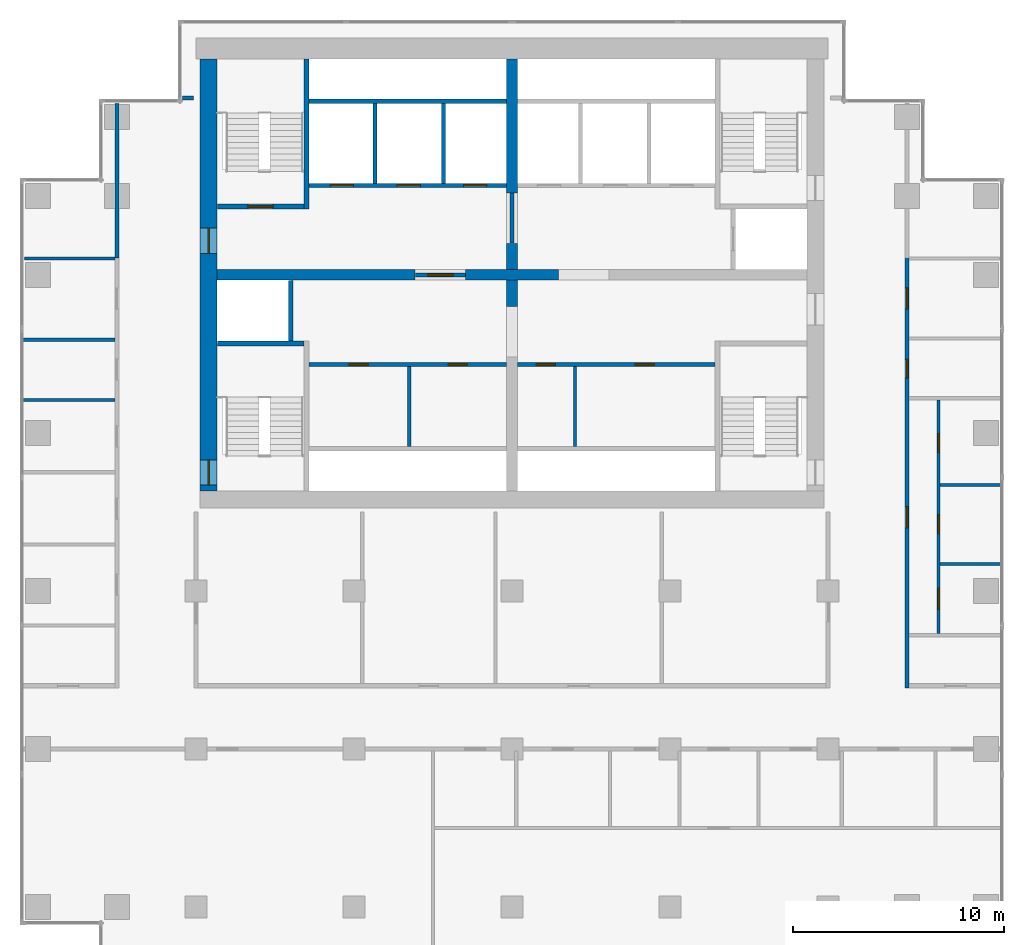
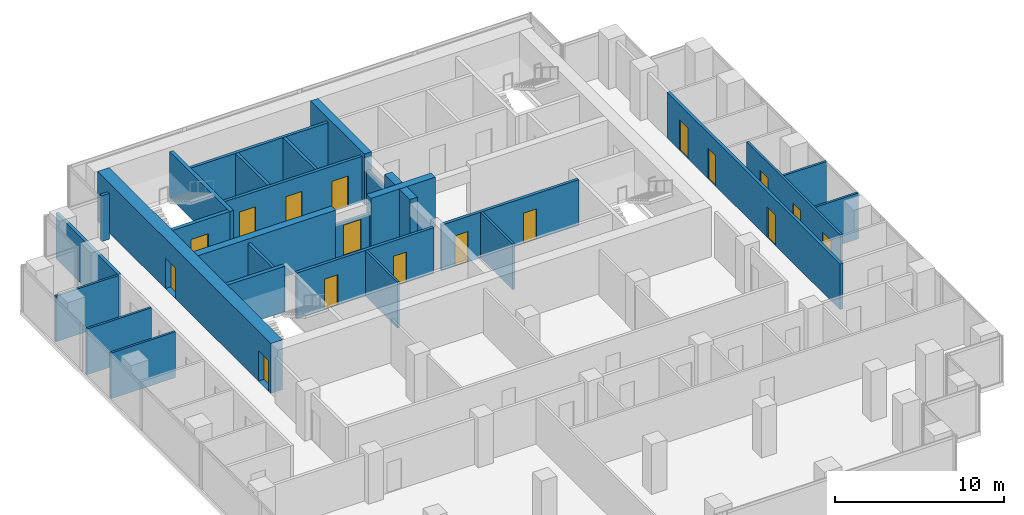
# One storey, part 8 of 10: 29 walls, 17 doors, 17 openings.
"""IFC4 building model written with IfcOpenShell, lengths in metres."""

from ifc_helpers import new_model, si_unit, direction, frame, frame_2d, origin, place, context, subcontext, project, spatial, rectangle, extrude, material, layer, layer_set, type_object, element, fill, save


model = new_model("IFC4")

# Units and contexts
model_context = context("Model", 3, precision=1e-05, world=origin(), true_north=direction((0.0, 1.0)))
body_context = subcontext(model_context, "Body", "Model", "MODEL_VIEW")
ifc_project = project(units=[si_unit("LENGTHUNIT", "METRE"), si_unit("AREAUNIT", "SQUARE_METRE"), si_unit("VOLUMEUNIT", "CUBIC_METRE"), si_unit("PLANEANGLEUNIT", "RADIAN"), si_unit("MASSUNIT", "GRAM", prefix="KILO")], contexts=[model_context])

# Site, building, storey
site_placement = place(None, origin())
site = spatial("IfcSite", under=ifc_project, at=site_placement, CompositionType="ELEMENT")
building_placement = place(site_placement, origin())
building = spatial("IfcBuilding", under=site, at=building_placement, Name="Pilkhan Gate Tower", CompositionType="ELEMENT")
storey_placement = place(building_placement, frame((0.0, 0.0, 165.699951171875)))
storey = spatial("IfcBuildingStorey", under=building, at=storey_placement, Name="L42", CompositionType="ELEMENT", Elevation=165.699951171875)

# Wall, openings, doors
ifc_material_1 = material(Name="Concrete C60/75", Category="concrete")
ifc_layer_1 = layer(ifc_material_1, 0.800048828125)
ifc_layer_set_1 = layer_set([ifc_layer_1], Name="Core wall CW800 C60/75")
wall_type_1 = type_object("IfcWallType", Name="Core wall CW800 C60/75", PredefinedType="SHEAR", material=ifc_layer_set_1)
wall_1_placement = place(storey_placement, frame((60.60009765625, 92.75, 0.0), z_axis=(0.0, 0.0, 1.0), x_axis=(0.0, -1.0, 0.0)))
wall_1 = element("IfcWall", 1, at=wall_1_placement, inside=storey, type_object=wall_type_1, Name="Core wall W L42", PredefinedType="SHEAR", context=body_context, shape_type="SweptSolid", body=[
    extrude(rectangle(XDim=20.5, YDim=0.800048828125, at=frame_2d((10.25, 0.0))), origin(), (0.0, 0.0, 1.0), 3.60009765625),
])
opening_1_placement = place(wall_1_placement, frame((19.02490234375, 0.0, 0.0)))
opening_1 = element("IfcOpeningElement", 2, at=opening_1_placement, cuts=wall_1, Name="Opening L42-04", PredefinedType="OPENING", context=body_context, shape_type="SweptSolid", body=[
    extrude(rectangle(XDim=1.199951171875, YDim=2.199951171875, at=frame_2d((0.60009765625, 1.10009765625))), frame((0.0, 0.409912109375, 0.0), z_axis=(0.0, -1.0, 0.0), x_axis=(1.0, 0.0, 0.0)), (0.0, 0.0, 1.0), 0.820068359375),
])
opening_2_placement = place(wall_1_placement, frame((8.02490234375, 0.0, 0.0)))
opening_2 = element("IfcOpeningElement", 3, at=opening_2_placement, cuts=wall_1, Name="Opening L42-13", PredefinedType="OPENING", context=body_context, shape_type="SweptSolid", body=[
    extrude(rectangle(XDim=1.199951171875, YDim=2.199951171875, at=frame_2d((0.60009765625, 1.10009765625))), frame((0.0, 0.409912109375, 0.0), z_axis=(0.0, -1.0, 0.0), x_axis=(1.0, 0.0, 0.0)), (0.0, 0.0, 1.0), 0.820068359375),
])
ifc_material_2 = material(Name="Steel door, 120 minute fire resisting, self-closing", Category="steel")
door_type_1 = type_object("IfcDoorType", Name="Firefighting lobby door D10 1200x2200", OperationType="SINGLE_SWING_LEFT", PredefinedType="DOOR", material=ifc_material_2)
door_1_placement = place(opening_2_placement, origin())
door_1 = element("IfcDoor", 4, at=door_1_placement, inside=storey, type_object=door_type_1, Name="Core door", OperationType="SINGLE_SWING_LEFT", OverallHeight=2.199951171875, OverallWidth=1.199951171875, PredefinedType="DOOR", context=body_context, shape_type="SweptSolid", body=[
    extrude(rectangle(XDim=1.199951171875, YDim=2.199951171875, at=frame_2d((0.60009765625, 1.10009765625))), frame((0.0, 0.02490234375, 0.0), z_axis=(0.0, -1.0, 0.0), x_axis=(1.0, 0.0, 0.0)), (0.0, 0.0, 1.0), 0.050048828125),
])
fill(opening_2, door_1)
ifc_material_3 = material(Name="Steel door, 120 minute fire resisting, panic bar", Category="steel")
door_type_2 = type_object("IfcDoorType", Name="Stair door D11 1200x2200", OperationType="SINGLE_SWING_LEFT", PredefinedType="DOOR", material=ifc_material_3)
door_2_placement = place(opening_1_placement, origin())
door_2 = element("IfcDoor", 5, at=door_2_placement, inside=storey, type_object=door_type_2, Name="Stair ST2 door", OperationType="SINGLE_SWING_LEFT", OverallHeight=2.199951171875, OverallWidth=1.199951171875, PredefinedType="DOOR", context=body_context, shape_type="SweptSolid", body=[
    extrude(rectangle(XDim=1.199951171875, YDim=2.199951171875, at=frame_2d((0.60009765625, 1.10009765625))), frame((0.0, 0.02490234375, 0.0), z_axis=(0.0, -1.0, 0.0), x_axis=(1.0, 0.0, 0.0)), (0.0, 0.0, 1.0), 0.050048828125),
])
fill(opening_1, door_2)

# Walls
ifc_material_4 = material(Name="Dense blockwork", Category="masonry")
ifc_layer_2 = layer(ifc_material_4, 0.199951171875)
ifc_layer_set_2 = layer_set([ifc_layer_2], Name="Corridor wall FW200")
wall_type_2 = type_object("IfcWallType", Name="Corridor wall FW200", PredefinedType="PARTITIONING", material=ifc_layer_set_2)
wall_2_placement = place(storey_placement, frame((59.35498046875, 90.89990234375, 0.0), z_axis=(0.0, 0.0, 1.0), x_axis=(1.0, 0.0, 0.0)))
element("IfcWall", 6, at=wall_2_placement, inside=storey, type_object=wall_type_2, Name="Partition L42", PredefinedType="PARTITIONING", context=body_context, shape_type="SweptSolid", body=[
    extrude(rectangle(XDim=0.52490234375, YDim=0.199951171875, at=frame_2d((0.262451171875, 0.0))), origin(), (0.0, 0.0, 1.0), 3.300048828125),
])
wall_3_placement = place(storey_placement, frame((56.25, 83.31005859375, 0.0), z_axis=(0.0, 0.0, 1.0), x_axis=(0.0, 1.0, 0.0)))
element("IfcWall", 7, at=wall_3_placement, inside=storey, type_object=wall_type_2, Name="Partition L42", PredefinedType="PARTITIONING", context=body_context, shape_type="SweptSolid", body=[
    extrude(rectangle(XDim=7.3349609375, YDim=0.199951171875, at=frame_2d((3.66748046875, 0.0))), origin(), (0.0, 0.0, 1.0), 3.300048828125),
])

# Wall, openings, doors
wall_4_placement = place(storey_placement, frame((93.75, 62.89990234375, 0.0), z_axis=(0.0, 0.0, 1.0), x_axis=(0.0, 1.0, 0.0)))
wall_4 = element("IfcWall", 8, at=wall_4_placement, inside=storey, type_object=wall_type_2, Name="Partition L42", PredefinedType="PARTITIONING", context=body_context, shape_type="SweptSolid", body=[
    extrude(rectangle(XDim=20.455078125, YDim=0.199951171875, at=frame_2d((10.2275390625, 0.0))), origin(), (0.0, 0.0, 1.0), 3.300048828125),
])
opening_3_placement = place(wall_4_placement, frame((7.60009765625, 0.0, 0.0)))
opening_3 = element("IfcOpeningElement", 9, at=opening_3_placement, cuts=wall_4, Name="Opening L42-11", PredefinedType="OPENING", context=body_context, shape_type="SweptSolid", body=[
    extrude(rectangle(XDim=1.0, YDim=2.199951171875, at=frame_2d((0.5, 1.10009765625))), frame((0.0, 0.10986328125, 0.0), z_axis=(0.0, -1.0, 0.0), x_axis=(1.0, 0.0, 0.0)), (0.0, 0.0, 1.0), 0.219970703125),
])
opening_4_placement = place(wall_4_placement, frame((14.699951171875, 0.0, 0.0)))
opening_4 = element("IfcOpeningElement", 10, at=opening_4_placement, cuts=wall_4, Name="Opening L42-32", PredefinedType="OPENING", context=body_context, shape_type="SweptSolid", body=[
    extrude(rectangle(XDim=0.89990234375, YDim=2.199951171875, at=frame_2d((0.449951171875, 1.10009765625))), frame((0.0, 0.10986328125, 0.0), z_axis=(0.0, -1.0, 0.0), x_axis=(1.0, 0.0, 0.0)), (0.0, 0.0, 1.0), 0.219970703125),
])
opening_5_placement = place(wall_4_placement, frame((17.990966796875, 0.0, 0.0)))
opening_5 = element("IfcOpeningElement", 11, at=opening_5_placement, cuts=wall_4, Name="Opening L42-33", PredefinedType="OPENING", context=body_context, shape_type="SweptSolid", body=[
    extrude(rectangle(XDim=1.0, YDim=2.199951171875, at=frame_2d((0.5, 1.10009765625))), frame((0.0, 0.10986328125, 0.0), z_axis=(0.0, -1.0, 0.0), x_axis=(1.0, 0.0, 0.0)), (0.0, 0.0, 1.0), 0.219970703125),
])
ifc_material_5 = material(Name="Timber flush door, 30 minute fire resisting", Category="wood")
door_type_3 = type_object("IfcDoorType", Name="Room door D03 1000x2200", OperationType="SINGLE_SWING_LEFT", PredefinedType="DOOR", material=ifc_material_5)
door_3_placement = place(opening_3_placement, origin())
door_3 = element("IfcDoor", 12, at=door_3_placement, inside=storey, type_object=door_type_3, Name="Toilet lobby door", OperationType="SINGLE_SWING_LEFT", OverallHeight=2.199951171875, OverallWidth=1.0, PredefinedType="DOOR", context=body_context, shape_type="SweptSolid", body=[
    extrude(rectangle(XDim=1.0, YDim=2.199951171875, at=frame_2d((0.5, 1.10009765625))), frame((0.0, 0.02490234375, 0.0), z_axis=(0.0, -1.0, 0.0), x_axis=(1.0, 0.0, 0.0)), (0.0, 0.0, 1.0), 0.050048828125),
])
fill(opening_3, door_3)
door_4_placement = place(opening_5_placement, origin())
door_4 = element("IfcDoor", 13, at=door_4_placement, inside=storey, type_object=door_type_3, Name="Room door", OperationType="SINGLE_SWING_LEFT", OverallHeight=2.199951171875, OverallWidth=1.0, PredefinedType="DOOR", context=body_context, shape_type="SweptSolid", body=[
    extrude(rectangle(XDim=1.0, YDim=2.199951171875, at=frame_2d((0.5, 1.10009765625))), frame((0.0, 0.02490234375, 0.0), z_axis=(0.0, -1.0, 0.0), x_axis=(1.0, 0.0, 0.0)), (0.0, 0.0, 1.0), 0.050048828125),
])
fill(opening_5, door_4)
ifc_material_6 = material(Name="Timber flush door, 60 minute fire resisting, self-closing", Category="wood")
door_type_4 = type_object("IfcDoorType", Name="Store door D05 900x2200", OperationType="SINGLE_SWING_LEFT", PredefinedType="DOOR", material=ifc_material_6)
door_5_placement = place(opening_4_placement, origin())
door_5 = element("IfcDoor", 14, at=door_5_placement, inside=storey, type_object=door_type_4, Name="Store door", OperationType="SINGLE_SWING_LEFT", OverallHeight=2.199951171875, OverallWidth=0.89990234375, PredefinedType="DOOR", context=body_context, shape_type="SweptSolid", body=[
    extrude(rectangle(XDim=0.89990234375, YDim=2.199951171875, at=frame_2d((0.449951171875, 1.10009765625))), frame((0.0, 0.02490234375, 0.0), z_axis=(0.0, -1.0, 0.0), x_axis=(1.0, 0.0, 0.0)), (0.0, 0.0, 1.0), 0.050048828125),
])
fill(opening_4, door_5)

ifc_layer_3 = layer(ifc_material_4, 0.199951171875)
ifc_layer_set_3 = layer_set([ifc_layer_3], Name="Lobby wall LW200")
wall_type_3 = type_object("IfcWallType", Name="Lobby wall LW200", PredefinedType="PARTITIONING", material=ifc_layer_set_3)
wall_5_placement = place(storey_placement, frame((65.375, 78.25, 0.0), z_axis=(0.0, 0.0, 1.0), x_axis=(1.0, 0.0, 0.0)))
wall_5 = element("IfcWall", 15, at=wall_5_placement, inside=storey, type_object=wall_type_3, Name="Partition L42", PredefinedType="PARTITIONING", context=body_context, shape_type="SweptSolid", body=[
    extrude(rectangle(XDim=9.364990234375, YDim=0.199951171875, at=frame_2d((4.6826171875, 0.0))), origin(), (0.0, 0.0, 1.0), 3.300048828125),
])
opening_6_placement = place(wall_5_placement, frame((1.89990234375, 0.0, 0.0)))
opening_6 = element("IfcOpeningElement", 16, at=opening_6_placement, cuts=wall_5, Name="Opening L42-14", PredefinedType="OPENING", context=body_context, shape_type="SweptSolid", body=[
    extrude(rectangle(XDim=0.89990234375, YDim=2.199951171875, at=frame_2d((0.449951171875, 1.10009765625))), frame((0.0, 0.10986328125, 0.0), z_axis=(0.0, -1.0, 0.0), x_axis=(1.0, 0.0, 0.0)), (0.0, 0.0, 1.0), 0.219970703125),
])
opening_7_placement = place(wall_5_placement, frame((6.60009765625, 0.0, 0.0)))
opening_7 = element("IfcOpeningElement", 17, at=opening_7_placement, cuts=wall_5, Name="Opening L42-15", PredefinedType="OPENING", context=body_context, shape_type="SweptSolid", body=[
    extrude(rectangle(XDim=0.89990234375, YDim=2.199951171875, at=frame_2d((0.449951171875, 1.10009765625))), frame((0.0, 0.10986328125, 0.0), z_axis=(0.0, -1.0, 0.0), x_axis=(1.0, 0.0, 0.0)), (0.0, 0.0, 1.0), 0.219970703125),
])
door_6_placement = place(opening_6_placement, origin())
door_6 = element("IfcDoor", 18, at=door_6_placement, inside=storey, type_object=door_type_4, Name="Store door", OperationType="SINGLE_SWING_LEFT", OverallHeight=2.199951171875, OverallWidth=0.89990234375, PredefinedType="DOOR", context=body_context, shape_type="SweptSolid", body=[
    extrude(rectangle(XDim=0.89990234375, YDim=2.199951171875, at=frame_2d((0.449951171875, 1.10009765625))), frame((0.0, 0.02490234375, 0.0), z_axis=(0.0, -1.0, 0.0), x_axis=(1.0, 0.0, 0.0)), (0.0, 0.0, 1.0), 0.050048828125),
])
fill(opening_6, door_6)
door_7_placement = place(opening_7_placement, origin())
door_7 = element("IfcDoor", 19, at=door_7_placement, inside=storey, type_object=door_type_4, Name="Store door", OperationType="SINGLE_SWING_LEFT", OverallHeight=2.199951171875, OverallWidth=0.89990234375, PredefinedType="DOOR", context=body_context, shape_type="SweptSolid", body=[
    extrude(rectangle(XDim=0.89990234375, YDim=2.199951171875, at=frame_2d((0.449951171875, 1.10009765625))), frame((0.0, 0.02490234375, 0.0), z_axis=(0.0, -1.0, 0.0), x_axis=(1.0, 0.0, 0.0)), (0.0, 0.0, 1.0), 0.050048828125),
])
fill(opening_7, door_7)

wall_6_placement = place(storey_placement, frame((75.260009765625, 78.25, 0.0), z_axis=(0.0, 0.0, 1.0), x_axis=(1.0, 0.0, 0.0)))
wall_6 = element("IfcWall", 20, at=wall_6_placement, inside=storey, type_object=wall_type_3, Name="Partition L42", PredefinedType="PARTITIONING", context=body_context, shape_type="SweptSolid", body=[
    extrude(rectangle(XDim=9.364990234375, YDim=0.199951171875, at=frame_2d((4.6826171875, 0.0))), origin(), (0.0, 0.0, 1.0), 3.300048828125),
])
opening_8_placement = place(wall_6_placement, frame((0.89990234375, 0.0, 0.0)))
opening_8 = element("IfcOpeningElement", 21, at=opening_8_placement, cuts=wall_6, Name="Opening L42-16", PredefinedType="OPENING", context=body_context, shape_type="SweptSolid", body=[
    extrude(rectangle(XDim=0.89990234375, YDim=2.199951171875, at=frame_2d((0.449951171875, 1.10009765625))), frame((0.0, 0.10986328125, 0.0), z_axis=(0.0, -1.0, 0.0), x_axis=(1.0, 0.0, 0.0)), (0.0, 0.0, 1.0), 0.219970703125),
])
opening_9_placement = place(wall_6_placement, frame((5.580078125, 0.0, 0.0)))
opening_9 = element("IfcOpeningElement", 22, at=opening_9_placement, cuts=wall_6, Name="Opening L42-17", PredefinedType="OPENING", context=body_context, shape_type="SweptSolid", body=[
    extrude(rectangle(XDim=0.89990234375, YDim=2.199951171875, at=frame_2d((0.449951171875, 1.10009765625))), frame((0.0, 0.10986328125, 0.0), z_axis=(0.0, -1.0, 0.0), x_axis=(1.0, 0.0, 0.0)), (0.0, 0.0, 1.0), 0.219970703125),
])
door_8_placement = place(opening_8_placement, origin())
door_8 = element("IfcDoor", 23, at=door_8_placement, inside=storey, type_object=door_type_4, Name="Store door", OperationType="SINGLE_SWING_RIGHT", OverallHeight=2.199951171875, OverallWidth=0.89990234375, PredefinedType="DOOR", context=body_context, shape_type="SweptSolid", body=[
    extrude(rectangle(XDim=0.89990234375, YDim=2.199951171875, at=frame_2d((0.449951171875, 1.10009765625))), frame((0.0, 0.02490234375, 0.0), z_axis=(0.0, -1.0, 0.0), x_axis=(1.0, 0.0, 0.0)), (0.0, 0.0, 1.0), 0.050048828125),
])
fill(opening_8, door_8)
door_9_placement = place(opening_9_placement, origin())
door_9 = element("IfcDoor", 24, at=door_9_placement, inside=storey, type_object=door_type_4, Name="Store door", OperationType="SINGLE_SWING_RIGHT", OverallHeight=2.199951171875, OverallWidth=0.89990234375, PredefinedType="DOOR", context=body_context, shape_type="SweptSolid", body=[
    extrude(rectangle(XDim=0.89990234375, YDim=2.199951171875, at=frame_2d((0.449951171875, 1.10009765625))), frame((0.0, 0.02490234375, 0.0), z_axis=(0.0, -1.0, 0.0), x_axis=(1.0, 0.0, 0.0)), (0.0, 0.0, 1.0), 0.050048828125),
])
fill(opening_9, door_9)

# Wall, opening, door
wall_7_placement = place(storey_placement, frame((70.409912109375, 82.5, 0.0), z_axis=(0.0, 0.0, 1.0), x_axis=(1.0, 0.0, 0.0)))
wall_7 = element("IfcWall", 25, at=wall_7_placement, inside=storey, type_object=wall_type_3, Name="Partition L42", PredefinedType="PARTITIONING", context=body_context, shape_type="SweptSolid", body=[
    extrude(rectangle(XDim=2.380126953125, YDim=0.199951171875, at=frame_2d((1.18994140625, 0.0))), origin(), (0.0, 0.0, 1.0), 2.400146484375),
])
opening_10_placement = place(wall_7_placement, frame((0.60009765625, 0.0, 0.0)))
opening_10 = element("IfcOpeningElement", 26, at=opening_10_placement, cuts=wall_7, Name="Opening L42-01", PredefinedType="OPENING", context=body_context, shape_type="SweptSolid", body=[
    extrude(rectangle(XDim=1.199951171875, YDim=2.199951171875, at=frame_2d((0.60009765625, 1.10009765625))), frame((0.0, 0.10986328125, 0.0), z_axis=(0.0, -1.0, 0.0), x_axis=(1.0, 0.0, 0.0)), (0.0, 0.0, 1.0), 0.219970703125),
])
door_10_placement = place(opening_10_placement, origin())
door_10 = element("IfcDoor", 27, at=door_10_placement, inside=storey, type_object=door_type_1, Name="Firefighting lobby door", OperationType="SINGLE_SWING_LEFT", OverallHeight=2.199951171875, OverallWidth=1.199951171875, PredefinedType="DOOR", context=body_context, shape_type="SweptSolid", body=[
    extrude(rectangle(XDim=1.199951171875, YDim=2.199951171875, at=frame_2d((0.60009765625, 1.10009765625))), frame((0.0, 0.02490234375, 0.0), z_axis=(0.0, -1.0, 0.0), x_axis=(1.0, 0.0, 0.0)), (0.0, 0.0, 1.0), 0.050048828125),
])
fill(opening_10, door_10)

# Walls
wall_8_placement = place(storey_placement, frame((75.0, 84.010009765625, 0.0), z_axis=(0.0, 0.0, 1.0), x_axis=(0.0, 1.0, 0.0)))
element("IfcWall", 28, at=wall_8_placement, inside=storey, type_object=wall_type_3, Name="Partition L42", PredefinedType="PARTITIONING", context=body_context, shape_type="SweptSolid", body=[
    extrude(rectangle(XDim=2.3798828125, YDim=0.199951171875, at=frame_2d((1.18994140625, 0.0))), origin(), (0.0, 0.0, 1.0), 2.400146484375),
])
ifc_material_7 = material(Name="Blockwork partition, plastered both sides", Category="masonry")
ifc_layer_4 = layer(ifc_material_7, 0.14990234375)
ifc_layer_set_4 = layer_set([ifc_layer_4], Name="Partition PW150")
wall_type_4 = type_object("IfcWallType", Name="Partition PW150", PredefinedType="PARTITIONING", material=ifc_layer_set_4)
for number, where, z_axis, x_axis, name in (
    (29, (95.324951171875, 68.77490234375, 0.0), (0.0, 0.0, 1.0), (1.0, 0.0, 0.0), "Partition L42"),
    (30, (95.324951171875, 72.52490234375, 0.0), (0.0, 0.0, 1.0), (1.0, 0.0, 0.0), "Partition L42"),
):
    element("IfcWall", number, at=place(storey_placement, frame(where, z_axis=z_axis, x_axis=x_axis)), inside=storey, type_object=wall_type_4, Name=name, PredefinedType="PARTITIONING", context=body_context, shape_type="SweptSolid", body=[
        extrude(rectangle(XDim=2.93994140625, YDim=0.14990234375, at=frame_2d((1.469970703125, 0.0))), origin(), (0.0, 0.0, 1.0), 3.300048828125),
    ])
for number, where, z_axis, x_axis, name in (
    (31, (51.735107421875, 76.568115234375, 0.0), (0.0, 0.0, 1.0), (1.0, 0.0, 0.0), "Partition L42"),
    (32, (51.735107421875, 79.424072265625, 0.0), (0.0, 0.0, 1.0), (1.0, 0.0, 0.0), "Partition L42"),
):
    element("IfcWall", number, at=place(storey_placement, frame(where, z_axis=z_axis, x_axis=x_axis)), inside=storey, type_object=wall_type_4, Name=name, PredefinedType="PARTITIONING", context=body_context, shape_type="SweptSolid", body=[
        extrude(rectangle(XDim=4.414794921875, YDim=0.14990234375, at=frame_2d((2.20751953125, 0.0))), origin(), (0.0, 0.0, 1.0), 3.300048828125),
    ])
wall_9_placement = place(storey_placement, frame((51.85498046875, 83.280029296875, 0.0), z_axis=(0.0, 0.0, 1.0), x_axis=(1.0, 0.0, 0.0)))
element("IfcWall", 33, at=wall_9_placement, inside=storey, type_object=wall_type_4, Name="Partition L42", PredefinedType="PARTITIONING", context=body_context, shape_type="SweptSolid", body=[
    extrude(rectangle(XDim=4.294921875, YDim=0.14990234375, at=frame_2d((2.1474609375, 0.0))), origin(), (0.0, 0.0, 1.0), 3.300048828125),
])
for number, where, z_axis, x_axis, name in (
    (34, (70.125, 74.35009765625, 0.0), (0.0, 0.0, 1.0), (0.0, 1.0, 0.0), "Partition L42"),
    (35, (77.989990234375, 74.35009765625, 0.0), (0.0, 0.0, 1.0), (0.0, 1.0, 0.0), "Partition L42"),
):
    element("IfcWall", number, at=place(storey_placement, frame(where, z_axis=z_axis, x_axis=x_axis)), inside=storey, type_object=wall_type_4, Name=name, PredefinedType="PARTITIONING", context=body_context, shape_type="SweptSolid", body=[
        extrude(rectangle(XDim=3.7998046875, YDim=0.14990234375, at=frame_2d((1.89990234375, 0.0))), origin(), (0.0, 0.0, 1.0), 3.300048828125),
    ])

# Wall, openings, doors
wall_10_placement = place(storey_placement, frame((95.25, 65.47509765625, 0.0), z_axis=(0.0, 0.0, 1.0), x_axis=(0.0, 1.0, 0.0)))
wall_10 = element("IfcWall", 36, at=wall_10_placement, inside=storey, type_object=wall_type_4, Name="Partition L42", PredefinedType="PARTITIONING", context=body_context, shape_type="SweptSolid", body=[
    extrude(rectangle(XDim=11.099853515625, YDim=0.14990234375, at=frame_2d((5.5498046875, 0.0))), origin(), (0.0, 0.0, 1.0), 3.300048828125),
])
opening_11_placement = place(wall_10_placement, frame((1.14990234375, 0.0, 0.0)))
opening_11 = element("IfcOpeningElement", 37, at=opening_11_placement, cuts=wall_10, Name="Opening L42-28", PredefinedType="OPENING", context=body_context, shape_type="SweptSolid", body=[
    extrude(rectangle(XDim=1.0, YDim=2.199951171875, at=frame_2d((0.5, 1.10009765625))), frame((0.0, 0.0849609375, 0.0), z_axis=(0.0, -1.0, 0.0), x_axis=(1.0, 0.0, 0.0)), (0.0, 0.0, 1.0), 0.169921875),
])
opening_12_placement = place(wall_10_placement, frame((4.75, 0.0, 0.0)))
opening_12 = element("IfcOpeningElement", 38, at=opening_12_placement, cuts=wall_10, Name="Opening L42-29", PredefinedType="OPENING", context=body_context, shape_type="SweptSolid", body=[
    extrude(rectangle(XDim=0.89990234375, YDim=2.199951171875, at=frame_2d((0.449951171875, 1.10009765625))), frame((0.0, 0.0849609375, 0.0), z_axis=(0.0, -1.0, 0.0), x_axis=(1.0, 0.0, 0.0)), (0.0, 0.0, 1.0), 0.169921875),
])
opening_13_placement = place(wall_10_placement, frame((8.60009765625, 0.0, 0.0)))
opening_13 = element("IfcOpeningElement", 39, at=opening_13_placement, cuts=wall_10, Name="Opening L42-30", PredefinedType="OPENING", context=body_context, shape_type="SweptSolid", body=[
    extrude(rectangle(XDim=0.89990234375, YDim=2.199951171875, at=frame_2d((0.449951171875, 1.10009765625))), frame((0.0, 0.0849609375, 0.0), z_axis=(0.0, -1.0, 0.0), x_axis=(1.0, 0.0, 0.0)), (0.0, 0.0, 1.0), 0.169921875),
])
ifc_material_8 = material(Name="Timber flush door, outward opening, 30 minute fire resisting", Category="wood")
door_type_5 = type_object("IfcDoorType", Name="Accessible toilet door D07 1000x2200", OperationType="SINGLE_SWING_LEFT", PredefinedType="DOOR", material=ifc_material_8)
door_11_placement = place(opening_11_placement, origin())
door_11 = element("IfcDoor", 40, at=door_11_placement, inside=storey, type_object=door_type_5, Name="Accessible toilet door", OperationType="SINGLE_SWING_LEFT", OverallHeight=2.199951171875, OverallWidth=1.0, PredefinedType="DOOR", context=body_context, shape_type="SweptSolid", body=[
    extrude(rectangle(XDim=1.0, YDim=2.199951171875, at=frame_2d((0.5, 1.10009765625))), frame((0.0, 0.02490234375, 0.0), z_axis=(0.0, -1.0, 0.0), x_axis=(1.0, 0.0, 0.0)), (0.0, 0.0, 1.0), 0.050048828125),
])
fill(opening_11, door_11)
door_type_6 = type_object("IfcDoorType", Name="Toilet door D06 900x2200", OperationType="SINGLE_SWING_LEFT", PredefinedType="DOOR", material=ifc_material_5)
door_12_placement = place(opening_12_placement, origin())
door_12 = element("IfcDoor", 41, at=door_12_placement, inside=storey, type_object=door_type_6, Name="Toilet door", OperationType="SINGLE_SWING_LEFT", OverallHeight=2.199951171875, OverallWidth=0.89990234375, PredefinedType="DOOR", context=body_context, shape_type="SweptSolid", body=[
    extrude(rectangle(XDim=0.89990234375, YDim=2.199951171875, at=frame_2d((0.449951171875, 1.10009765625))), frame((0.0, 0.02490234375, 0.0), z_axis=(0.0, -1.0, 0.0), x_axis=(1.0, 0.0, 0.0)), (0.0, 0.0, 1.0), 0.050048828125),
])
fill(opening_12, door_12)
door_13_placement = place(opening_13_placement, origin())
door_13 = element("IfcDoor", 42, at=door_13_placement, inside=storey, type_object=door_type_6, Name="Toilet door", OperationType="SINGLE_SWING_LEFT", OverallHeight=2.199951171875, OverallWidth=0.89990234375, PredefinedType="DOOR", context=body_context, shape_type="SweptSolid", body=[
    extrude(rectangle(XDim=0.89990234375, YDim=2.199951171875, at=frame_2d((0.449951171875, 1.10009765625))), frame((0.0, 0.02490234375, 0.0), z_axis=(0.0, -1.0, 0.0), x_axis=(1.0, 0.0, 0.0)), (0.0, 0.0, 1.0), 0.050048828125),
])
fill(opening_13, door_13)

ifc_material_9 = material(Name="Reinforced blockwork shaft wall, 120 minute fire resisting", Category="masonry")
ifc_layer_5 = layer(ifc_material_9, 0.199951171875)
ifc_layer_set_5 = layer_set([ifc_layer_5], Name="Shaft wall SW200")
wall_type_5 = type_object("IfcWallType", Name="Shaft wall SW200", PredefinedType="PARTITIONING", material=ifc_layer_set_5)
wall_11_placement = place(storey_placement, frame((65.375, 86.75, 0.0), z_axis=(0.0, 0.0, 1.0), x_axis=(1.0, 0.0, 0.0)))
wall_11 = element("IfcWall", 43, at=wall_11_placement, inside=storey, type_object=wall_type_5, Name="Partition L42", PredefinedType="PARTITIONING", context=body_context, shape_type="SweptSolid", body=[
    extrude(rectangle(XDim=9.364990234375, YDim=0.199951171875, at=frame_2d((4.6826171875, 0.0))), origin(), (0.0, 0.0, 1.0), 3.300048828125),
])
opening_14_placement = place(wall_11_placement, frame((1.0, 0.0, 0.0)))
opening_14 = element("IfcOpeningElement", 44, at=opening_14_placement, cuts=wall_11, Name="Opening LD", PredefinedType="OPENING", context=body_context, shape_type="SweptSolid", body=[
    extrude(rectangle(XDim=1.10009765625, YDim=2.199951171875, at=frame_2d((0.550048828125, 1.10009765625))), frame((0.0, 0.10986328125, 0.0), z_axis=(0.0, -1.0, 0.0), x_axis=(1.0, 0.0, 0.0)), (0.0, 0.0, 1.0), 0.219970703125),
])
opening_15_placement = place(wall_11_placement, frame((4.175048828125, 0.0, 0.0)))
opening_15 = element("IfcOpeningElement", 45, at=opening_15_placement, cuts=wall_11, Name="Opening LD", PredefinedType="OPENING", context=body_context, shape_type="SweptSolid", body=[
    extrude(rectangle(XDim=1.10009765625, YDim=2.199951171875, at=frame_2d((0.550048828125, 1.10009765625))), frame((0.0, 0.10986328125, 0.0), z_axis=(0.0, -1.0, 0.0), x_axis=(1.0, 0.0, 0.0)), (0.0, 0.0, 1.0), 0.219970703125),
])
opening_16_placement = place(wall_11_placement, frame((7.324951171875, 0.0, 0.0)))
opening_16 = element("IfcOpeningElement", 46, at=opening_16_placement, cuts=wall_11, Name="Opening LD", PredefinedType="OPENING", context=body_context, shape_type="SweptSolid", body=[
    extrude(rectangle(XDim=1.10009765625, YDim=2.199951171875, at=frame_2d((0.550048828125, 1.10009765625))), frame((0.0, 0.10986328125, 0.0), z_axis=(0.0, -1.0, 0.0), x_axis=(1.0, 0.0, 0.0)), (0.0, 0.0, 1.0), 0.219970703125),
])
ifc_material_10 = material(Name="Stainless steel centre-opening landing door, 120 minute fire resisting", Category="steel")
door_type_7 = type_object("IfcDoorType", Name="Lift landing door LD 1100x2200", OperationType="DOUBLE_DOOR_SLIDING", PredefinedType="DOOR", material=ifc_material_10)
door_14_placement = place(opening_14_placement, origin())
door_14 = element("IfcDoor", 47, at=door_14_placement, inside=storey, type_object=door_type_7, Name="Landing door FF1", OperationType="DOUBLE_DOOR_SLIDING", OverallHeight=2.199951171875, OverallWidth=1.10009765625, PredefinedType="DOOR", context=body_context, shape_type="SweptSolid", body=[
    extrude(rectangle(XDim=1.10009765625, YDim=2.199951171875, at=frame_2d((0.550048828125, 1.10009765625))), frame((0.0, 0.02490234375, 0.0), z_axis=(0.0, -1.0, 0.0), x_axis=(1.0, 0.0, 0.0)), (0.0, 0.0, 1.0), 0.050048828125),
])
fill(opening_14, door_14)
door_15_placement = place(opening_15_placement, origin())
door_15 = element("IfcDoor", 48, at=door_15_placement, inside=storey, type_object=door_type_7, Name="Landing door FF2", OperationType="DOUBLE_DOOR_SLIDING", OverallHeight=2.199951171875, OverallWidth=1.10009765625, PredefinedType="DOOR", context=body_context, shape_type="SweptSolid", body=[
    extrude(rectangle(XDim=1.10009765625, YDim=2.199951171875, at=frame_2d((0.550048828125, 1.10009765625))), frame((0.0, 0.02490234375, 0.0), z_axis=(0.0, -1.0, 0.0), x_axis=(1.0, 0.0, 0.0)), (0.0, 0.0, 1.0), 0.050048828125),
])
fill(opening_15, door_15)
door_16_placement = place(opening_16_placement, origin())
door_16 = element("IfcDoor", 49, at=door_16_placement, inside=storey, type_object=door_type_7, Name="Landing door SV1", OperationType="DOUBLE_DOOR_SLIDING", OverallHeight=2.199951171875, OverallWidth=1.10009765625, PredefinedType="DOOR", context=body_context, shape_type="SweptSolid", body=[
    extrude(rectangle(XDim=1.10009765625, YDim=2.199951171875, at=frame_2d((0.550048828125, 1.10009765625))), frame((0.0, 0.02490234375, 0.0), z_axis=(0.0, -1.0, 0.0), x_axis=(1.0, 0.0, 0.0)), (0.0, 0.0, 1.0), 0.050048828125),
])
fill(opening_16, door_16)

# Walls
wall_12_placement = place(storey_placement, frame((65.375, 90.75, 0.0), z_axis=(0.0, 0.0, 1.0), x_axis=(1.0, 0.0, 0.0)))
element("IfcWall", 50, at=wall_12_placement, inside=storey, type_object=wall_type_5, Name="Partition L42", PredefinedType="PARTITIONING", context=body_context, shape_type="SweptSolid", body=[
    extrude(rectangle(XDim=9.364990234375, YDim=0.199951171875, at=frame_2d((4.6826171875, 0.0))), origin(), (0.0, 0.0, 1.0), 3.300048828125),
])
wall_13_placement = place(storey_placement, frame((64.5, 79.375, 0.0), z_axis=(0.0, 0.0, 1.0), x_axis=(0.0, 1.0, 0.0)))
element("IfcWall", 51, at=wall_13_placement, inside=storey, type_object=wall_type_5, Name="Partition L42", PredefinedType="PARTITIONING", context=body_context, shape_type="SweptSolid", body=[
    extrude(rectangle(XDim=2.864990234375, YDim=0.199951171875, at=frame_2d((1.4326171875, 0.0))), origin(), (0.0, 0.0, 1.0), 3.300048828125),
])
for number, where, z_axis, x_axis, name in (
    (52, (68.5, 86.85009765625, 0.0), (0.0, 0.0, 1.0), (0.0, 1.0, 0.0), "Partition L42"),
    (53, (71.75, 86.85009765625, 0.0), (0.0, 0.0, 1.0), (0.0, 1.0, 0.0), "Partition L42"),
):
    element("IfcWall", number, at=place(storey_placement, frame(where, z_axis=z_axis, x_axis=x_axis)), inside=storey, type_object=wall_type_5, Name=name, PredefinedType="PARTITIONING", context=body_context, shape_type="SweptSolid", body=[
        extrude(rectangle(XDim=3.7998046875, YDim=0.199951171875, at=frame_2d((1.89990234375, 0.0))), origin(), (0.0, 0.0, 1.0), 3.300048828125),
    ])
ifc_layer_6 = layer(ifc_material_1, 0.5)
ifc_layer_set_6 = layer_set([ifc_layer_6], Name="Spine wall SW500 C60/75")
wall_type_6 = type_object("IfcWallType", Name="Spine wall SW500 C60/75", PredefinedType="SHEAR", material=ifc_layer_set_6)
wall_14_placement = place(storey_placement, frame((61.0, 82.5, 0.0), z_axis=(0.0, 0.0, 1.0), x_axis=(1.0, 0.0, 0.0)))
element("IfcWall", 54, at=wall_14_placement, inside=storey, type_object=wall_type_6, Name="Spine wall SP-EW1 L42", PredefinedType="SHEAR", context=body_context, shape_type="SweptSolid", body=[
    extrude(rectangle(XDim=9.39990234375, YDim=0.5, at=frame_2d((4.699951171875, 0.0))), origin(), (0.0, 0.0, 1.0), 3.60009765625),
])
wall_15_placement = place(storey_placement, frame((72.800048828125, 82.5, 0.0), z_axis=(0.0, 0.0, 1.0), x_axis=(1.0, 0.0, 0.0)))
element("IfcWall", 55, at=wall_15_placement, inside=storey, type_object=wall_type_6, Name="Spine wall SP-EW2 L42", PredefinedType="SHEAR", context=body_context, shape_type="SweptSolid", body=[
    extrude(rectangle(XDim=4.39990234375, YDim=0.5, at=frame_2d((2.199951171875, 0.0))), origin(), (0.0, 0.0, 1.0), 3.60009765625),
])
for number, where, z_axis, x_axis, name in (
    (56, (75.0, 81.0, 0.0), (0.0, 0.0, 1.0), (0.0, 1.0, 0.0), "Spine wall SP-NS-S2 L42"),
    (57, (75.0, 82.75, 0.0), (0.0, 0.0, 1.0), (0.0, 1.0, 0.0), "Spine wall SP-NS-N1 L42"),
):
    element("IfcWall", number, at=place(storey_placement, frame(where, z_axis=z_axis, x_axis=x_axis)), inside=storey, type_object=wall_type_6, Name=name, PredefinedType="SHEAR", context=body_context, shape_type="SweptSolid", body=[
        extrude(rectangle(XDim=1.25, YDim=0.5, at=frame_2d((0.625, 0.0))), origin(), (0.0, 0.0, 1.0), 3.60009765625),
    ])
wall_16_placement = place(storey_placement, frame((75.0, 86.39990234375, 0.0), z_axis=(0.0, 0.0, 1.0), x_axis=(0.0, 1.0, 0.0)))
element("IfcWall", 58, at=wall_16_placement, inside=storey, type_object=wall_type_6, Name="Spine wall SP-NS-N2 L42", PredefinedType="SHEAR", context=body_context, shape_type="SweptSolid", body=[
    extrude(rectangle(XDim=6.35009765625, YDim=0.5, at=frame_2d((3.175048828125, 0.0))), origin(), (0.0, 0.0, 1.0), 3.60009765625),
])
ifc_material_11 = material(Name="Reinforced blockwork, 120 minute fire resisting", Category="masonry")
ifc_layer_7 = layer(ifc_material_11, 0.25)
ifc_layer_set_7 = layer_set([ifc_layer_7], Name="Stair enclosure wall SE250")
wall_type_7 = type_object("IfcWallType", Name="Stair enclosure wall SE250", PredefinedType="PARTITIONING", material=ifc_layer_set_7)
wall_17_placement = place(storey_placement, frame((61.010009765625, 79.25, 0.0), z_axis=(0.0, 0.0, 1.0), x_axis=(1.0, 0.0, 0.0)))
element("IfcWall", 59, at=wall_17_placement, inside=storey, type_object=wall_type_7, Name="Partition L42", PredefinedType="PARTITIONING", context=body_context, shape_type="SweptSolid", body=[
    extrude(rectangle(XDim=4.114990234375, YDim=0.25, at=frame_2d((2.0576171875, 0.0))), origin(), (0.0, 0.0, 1.0), 3.300048828125),
])

# Wall, opening, door
wall_18_placement = place(storey_placement, frame((61.010009765625, 85.75, 0.0), z_axis=(0.0, 0.0, 1.0), x_axis=(1.0, 0.0, 0.0)))
wall_18 = element("IfcWall", 60, at=wall_18_placement, inside=storey, type_object=wall_type_7, Name="Partition L42", PredefinedType="PARTITIONING", context=body_context, shape_type="SweptSolid", body=[
    extrude(rectangle(XDim=4.114990234375, YDim=0.25, at=frame_2d((2.0576171875, 0.0))), origin(), (0.0, 0.0, 1.0), 3.300048828125),
])
opening_17_placement = place(wall_18_placement, frame((1.449951171875, 0.0, 0.0)))
opening_17 = element("IfcOpeningElement", 61, at=opening_17_placement, cuts=wall_18, Name="Opening L42-02", PredefinedType="OPENING", context=body_context, shape_type="SweptSolid", body=[
    extrude(rectangle(XDim=1.199951171875, YDim=2.199951171875, at=frame_2d((0.60009765625, 1.10009765625))), frame((0.0, 0.135009765625, 0.0), z_axis=(0.0, -1.0, 0.0), x_axis=(1.0, 0.0, 0.0)), (0.0, 0.0, 1.0), 0.27001953125),
])
door_17_placement = place(opening_17_placement, origin())
door_17 = element("IfcDoor", 62, at=door_17_placement, inside=storey, type_object=door_type_2, Name="Stair ST3 lobby door", OperationType="SINGLE_SWING_LEFT", OverallHeight=2.199951171875, OverallWidth=1.199951171875, PredefinedType="DOOR", context=body_context, shape_type="SweptSolid", body=[
    extrude(rectangle(XDim=1.199951171875, YDim=2.199951171875, at=frame_2d((0.60009765625, 1.10009765625))), frame((0.0, 0.02490234375, 0.0), z_axis=(0.0, -1.0, 0.0), x_axis=(1.0, 0.0, 0.0)), (0.0, 0.0, 1.0), 0.050048828125),
])
fill(opening_17, door_17)

# Wall
wall_19_placement = place(storey_placement, frame((65.25, 85.625, 0.0), z_axis=(0.0, 0.0, 1.0), x_axis=(0.0, 1.0, 0.0)))
element("IfcWall", 63, at=wall_19_placement, inside=storey, type_object=wall_type_7, Name="Partition L42", PredefinedType="PARTITIONING", context=body_context, shape_type="SweptSolid", body=[
    extrude(rectangle(XDim=7.114990234375, YDim=0.25, at=frame_2d((3.5576171875, 0.0))), origin(), (0.0, 0.0, 1.0), 3.300048828125),
])

save(model, "model.ifc")
